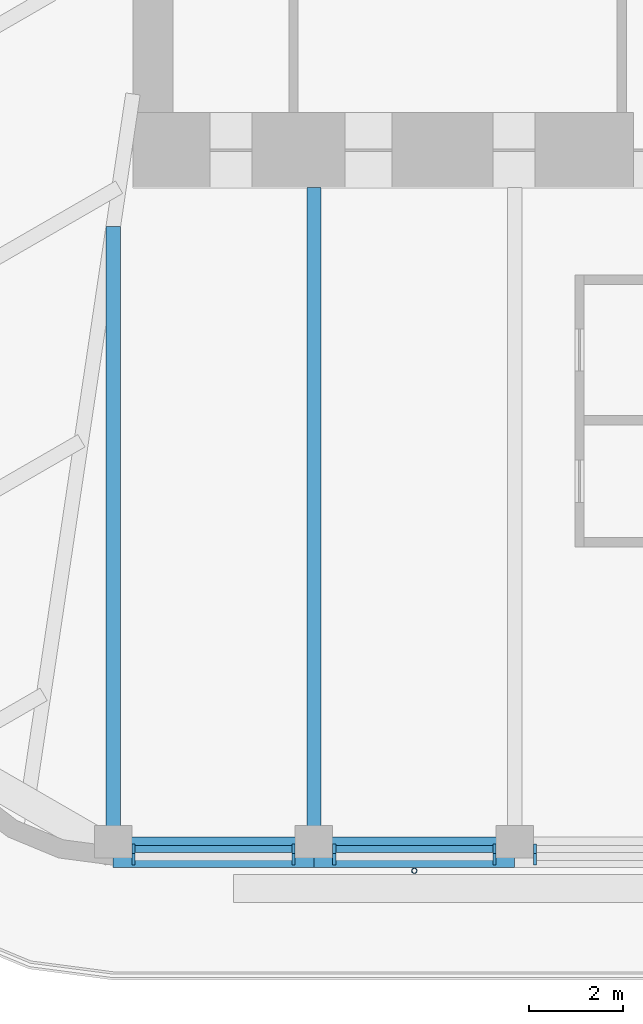
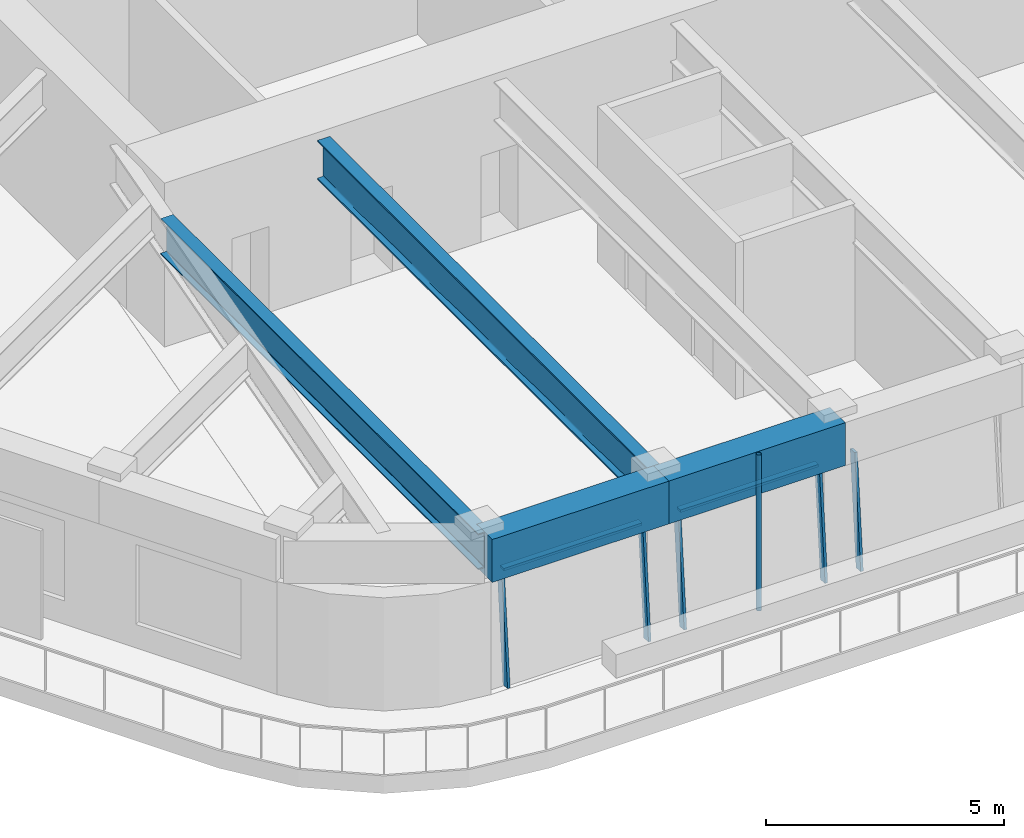
# One storey, part 2 of 19: 8 members, 4 beams, 3 elements without a shape of their own.
"""IFC4 building model written with IfcOpenShell, lengths in metres."""

from ifc_helpers import new_model, si_unit, direction, frame, origin, origin_2d, place, context, subcontext, project, spatial, rectangle, hollow_circle, i_section, extrude, material, material_profile, profile_set, type_object, element, aggregate, save


model = new_model("IFC4")

# Units and contexts
model_context = context("Model", 3, precision=1e-05, world=origin(), true_north=direction((0.0, 1.0)))
body_context = subcontext(model_context, "Body", "Model", "MODEL_VIEW")
ifc_project = project(units=[si_unit("LENGTHUNIT", "METRE"), si_unit("AREAUNIT", "SQUARE_METRE"), si_unit("VOLUMEUNIT", "CUBIC_METRE"), si_unit("PLANEANGLEUNIT", "RADIAN"), si_unit("MASSUNIT", "GRAM", prefix="KILO")], contexts=[model_context])

# Site, building, storey
site_placement = place(None, origin())
site = spatial("IfcSite", under=ifc_project, at=site_placement, CompositionType="ELEMENT")
building_placement = place(site_placement, origin())
building = spatial("IfcBuilding", under=site, at=building_placement, Name="Tarfa Lantern Tower", CompositionType="ELEMENT")
storey_placement = place(building_placement, frame((0.0, 0.0, 374.5)))
storey = spatial("IfcBuildingStorey", under=building, at=storey_placement, Name="L85", CompositionType="ELEMENT", Elevation=374.5)

# Curtain wall, members
ifc_material_1 = material(Name="Aluminium framed curtain wall", Category="aluminium")
curtain_wall_type = type_object("IfcCurtainWallType", Name="CW4 CANTED GLAZING EXECUTIVE ZONE 2900", PredefinedType="USERDEFINED", material=ifc_material_1)
curtain_wall_1_placement = place(storey_placement, origin())
curtain_wall_1 = element("IfcCurtainWall", 1, at=curtain_wall_1_placement, inside=storey, type_object=curtain_wall_type, Name="CW4 S L85", ObjectType="CURTAIN WALL", PredefinedType="USERDEFINED")
ifc_material_2 = material(Name="Aluminium mullion", Category="aluminium")
ifc_material_profile_1 = material_profile(ifc_material_2, rectangle(XDim=0.06494140625, YDim=0.199951171875, at=origin_2d()), Name="AL MULLION 65x200")
ifc_profile_set_1 = profile_set([ifc_material_profile_1], Name="Aluminium mullion")
member_type_1 = type_object("IfcMemberType", Name="CWM1 MULLION 65x200", PredefinedType="MULLION", material=ifc_profile_set_1)
member_1_placement = place(storey_placement, frame((-12.41357421875, -26.64990234375, 0.0), z_axis=(0.0, 0.085891213166, 0.99630452147), x_axis=(-1.0, 0.0, 0.0)))
member_1 = element("IfcMember", 2, at=member_1_placement, type_object=member_type_1, Name="CW4 mullion 1", PredefinedType="MULLION", context=body_context, shape_type="SweptSolid", body=[
    extrude(rectangle(XDim=0.06494140625, YDim=0.199951171875, at=origin_2d()), origin(), (0.0, 0.0, 1.0), 2.91064453125),
])
member_2_placement = place(storey_placement, frame((-8.99658203125, -26.64990234375, 0.0), z_axis=(0.0, 0.085891213166, 0.99630452147), x_axis=(-1.0, 0.0, 0.0)))
member_2 = element("IfcMember", 3, at=member_2_placement, type_object=member_type_1, Name="CW4 mullion 2", PredefinedType="MULLION", context=body_context, shape_type="SweptSolid", body=[
    extrude(rectangle(XDim=0.06494140625, YDim=0.199951171875, at=origin_2d()), origin(), (0.0, 0.0, 1.0), 2.91064453125),
])

curtain_wall_2_placement = place(storey_placement, origin())
curtain_wall_2 = element("IfcCurtainWall", 4, at=curtain_wall_2_placement, inside=storey, type_object=curtain_wall_type, Name="CW4 S L85", ObjectType="CURTAIN WALL", PredefinedType="USERDEFINED")
member_3_placement = place(storey_placement, frame((-8.131591796875, -26.64990234375, 0.0), z_axis=(0.0, 0.085891213166, 0.99630452147), x_axis=(-1.0, 0.0, 0.0)))
member_3 = element("IfcMember", 5, at=member_3_placement, type_object=member_type_1, Name="CW4 mullion 1", PredefinedType="MULLION", context=body_context, shape_type="SweptSolid", body=[
    extrude(rectangle(XDim=0.06494140625, YDim=0.199951171875, at=origin_2d()), origin(), (0.0, 0.0, 1.0), 2.91064453125),
])
member_4_placement = place(storey_placement, frame((-4.714599609375, -26.64990234375, 0.0), z_axis=(0.0, 0.085891213166, 0.99630452147), x_axis=(-1.0, 0.0, 0.0)))
member_4 = element("IfcMember", 6, at=member_4_placement, type_object=member_type_1, Name="CW4 mullion 2", PredefinedType="MULLION", context=body_context, shape_type="SweptSolid", body=[
    extrude(rectangle(XDim=0.06494140625, YDim=0.199951171875, at=origin_2d()), origin(), (0.0, 0.0, 1.0), 2.91064453125),
])

# Curtain wall, member
curtain_wall_3_placement = place(storey_placement, origin())
curtain_wall_3 = element("IfcCurtainWall", 7, at=curtain_wall_3_placement, inside=storey, type_object=curtain_wall_type, Name="CW4 S L85", ObjectType="CURTAIN WALL", PredefinedType="USERDEFINED")
member_5_placement = place(storey_placement, frame((-3.849609375, -26.64990234375, 0.0), z_axis=(0.0, 0.085891213166, 0.99630452147), x_axis=(-1.0, 0.0, 0.0)))
member_5 = element("IfcMember", 8, at=member_5_placement, type_object=member_type_1, Name="CW4 mullion 1", PredefinedType="MULLION", context=body_context, shape_type="SweptSolid", body=[
    extrude(rectangle(XDim=0.06494140625, YDim=0.199951171875, at=origin_2d()), origin(), (0.0, 0.0, 1.0), 2.91064453125),
])
aggregate(curtain_wall_3, [member_5])

# Member
ifc_material_3 = material(Name="Aluminium transom", Category="aluminium")
ifc_material_profile_2 = material_profile(ifc_material_3, rectangle(XDim=0.14990234375, YDim=0.06494140625, at=origin_2d()), Name="AL TRANSOM 150x65")
ifc_profile_set_2 = profile_set([ifc_material_profile_2], Name="Aluminium transom")
member_type_2 = type_object("IfcMemberType", Name="CWT1 TRANSOM 150x65", PredefinedType="USERDEFINED", material=ifc_profile_set_2)
member_6_placement = place(storey_placement, frame((-12.381103515625, -26.40283203125, 2.867431640625), z_axis=(1.0, 0.0, 0.0), x_axis=(0.0, 1.0, 0.0)))
member_6 = element("IfcMember", 9, at=member_6_placement, type_object=member_type_2, Name="CW4 transom 1.2", ObjectType="TRANSOM", PredefinedType="USERDEFINED", context=body_context, shape_type="SweptSolid", body=[
    extrude(rectangle(XDim=0.14990234375, YDim=0.06494140625, at=origin_2d()), origin(), (0.0, 0.0, 1.0), 3.35205078125),
])

aggregate(curtain_wall_1, [member_1, member_2, member_6])

member_7_placement = place(storey_placement, frame((-8.09912109375, -26.40283203125, 2.867431640625), z_axis=(1.0, 0.0, 0.0), x_axis=(0.0, 1.0, 0.0)))
member_7 = element("IfcMember", 10, at=member_7_placement, type_object=member_type_2, Name="CW4 transom 1.2", ObjectType="TRANSOM", PredefinedType="USERDEFINED", context=body_context, shape_type="SweptSolid", body=[
    extrude(rectangle(XDim=0.14990234375, YDim=0.06494140625, at=origin_2d()), origin(), (0.0, 0.0, 1.0), 3.35205078125),
])

aggregate(curtain_wall_2, [member_3, member_4, member_7])

# Beams
ifc_material_4 = material(Name="Concrete C80/95", Category="concrete")
ifc_material_profile_3 = material_profile(ifc_material_4, rectangle(XDim=0.64990234375, YDim=1.10009765625, at=origin_2d()), Name="RC 650x1100")
ifc_profile_set_3 = profile_set([ifc_material_profile_3], Name="Concrete C80/95")
beam_type_1 = type_object("IfcBeamType", Name="EB4 RC 650x1100", PredefinedType="SPANDREL", material=ifc_profile_set_3)
for number, where, z_axis, x_axis, name in (
    (11, (-12.845947265625, -26.469970703125, 3.449951171875), (1.0, 0.0, 0.0), (0.0, 1.0, 0.0), "Edge beam S0"),
    (12, (-8.56396484375, -26.469970703125, 3.449951171875), (1.0, 0.0, 0.0), (0.0, 1.0, 0.0), "Edge beam S1"),
):
    element("IfcBeam", number, at=place(storey_placement, frame(where, z_axis=z_axis, x_axis=x_axis)), inside=storey, type_object=beam_type_1, Name=name, PredefinedType="SPANDREL", context=body_context, shape_type="SweptSolid", body=[
        extrude(rectangle(XDim=0.64990234375, YDim=1.10009765625, at=origin_2d()), origin(), (0.0, 0.0, 1.0), 4.281982421875),
    ])

# Member
ifc_material_5 = material(Name="Steel S355", Category="steel")
ifc_material_profile_4 = material_profile(ifc_material_5, hollow_circle(Radius=0.05712890625, WallThickness=0.00634765625, at=origin_2d()), Name="CHS114.3x6.3")
ifc_profile_set_4 = profile_set([ifc_material_profile_4], Name="Steel S355")
member_type_3 = type_object("IfcMemberType", Name="TR1 GREEN WALL TRELLIS CHS114.3x6.3", PredefinedType="USERDEFINED", material=ifc_profile_set_4)
member_8_placement = place(storey_placement, frame((-6.423095703125, -26.8701171875, 0.0), z_axis=(0.0, 0.0, 1.0), x_axis=(1.0, 0.0, 0.0)))
element("IfcMember", 13, at=member_8_placement, inside=storey, type_object=member_type_3, Name="Trellis post S 1", ObjectType="TRELLIS", PredefinedType="USERDEFINED", context=body_context, shape_type="SweptSolid", body=[
    extrude(hollow_circle(Radius=0.05712890625, WallThickness=0.00634765625, at=origin_2d()), origin(), (0.0, 0.0, 1.0), 4.0),
])

# Beams
ifc_material_6 = material(Name="Steel S460M", Category="steel")
ifc_material_profile_5 = material_profile(ifc_material_6, i_section(OverallWidth=0.302001953125, OverallDepth=1.008056640625, WebThickness=0.02099609375, FlangeThickness=0.0400390625, FilletRadius=0.030029296875, at=origin_2d()), Name="UB1016x305x349")
ifc_profile_set_5 = profile_set([ifc_material_profile_5], Name="Steel S460M")
beam_type_2 = type_object("IfcBeamType", Name="UB1016x305x349", PredefinedType="BEAM", material=ifc_profile_set_5)
beam_1_placement = place(storey_placement, frame((-8.56396484375, -26.469970703125, 3.495849609375), z_axis=(0.0, 1.0, 0.0), x_axis=(-1.0, 0.0, 0.0)))
element("IfcBeam", 14, at=beam_1_placement, inside=storey, type_object=beam_type_2, Name="Floor beam S1", PredefinedType="BEAM", context=body_context, shape_type="SweptSolid", body=[
    extrude(i_section(OverallWidth=0.302001953125, OverallDepth=1.008056640625, WebThickness=0.02099609375, FlangeThickness=0.0400390625, FilletRadius=0.030029296875, at=origin_2d()), origin(), (0.0, 0.0, 1.0), 14.169921875),
])
ifc_material_profile_6 = material_profile(ifc_material_6, i_section(OverallWidth=0.305419921875, OverallDepth=0.91845703125, WebThickness=0.017333984375, FlangeThickness=0.02783203125, FilletRadius=0.01904296875, at=origin_2d()), Name="UB914x305x253")
ifc_profile_set_6 = profile_set([ifc_material_profile_6], Name="Steel S460M")
beam_type_3 = type_object("IfcBeamType", Name="UB914x305x253", PredefinedType="BEAM", material=ifc_profile_set_6)
beam_2_placement = place(storey_placement, frame((-12.845947265625, -26.469970703125, 3.540771484375), z_axis=(0.0, 1.0, 0.0), x_axis=(-1.0, 0.0, 0.0)))
element("IfcBeam", 15, at=beam_2_placement, inside=storey, type_object=beam_type_3, Name="Floor beam S0", PredefinedType="BEAM", context=body_context, shape_type="SweptSolid", body=[
    extrude(i_section(OverallWidth=0.305419921875, OverallDepth=0.91845703125, WebThickness=0.017333984375, FlangeThickness=0.02783203125, FilletRadius=0.01904296875, at=origin_2d()), origin(), (0.0, 0.0, 1.0), 13.33935546875),
])

save(model, "model.ifc")
